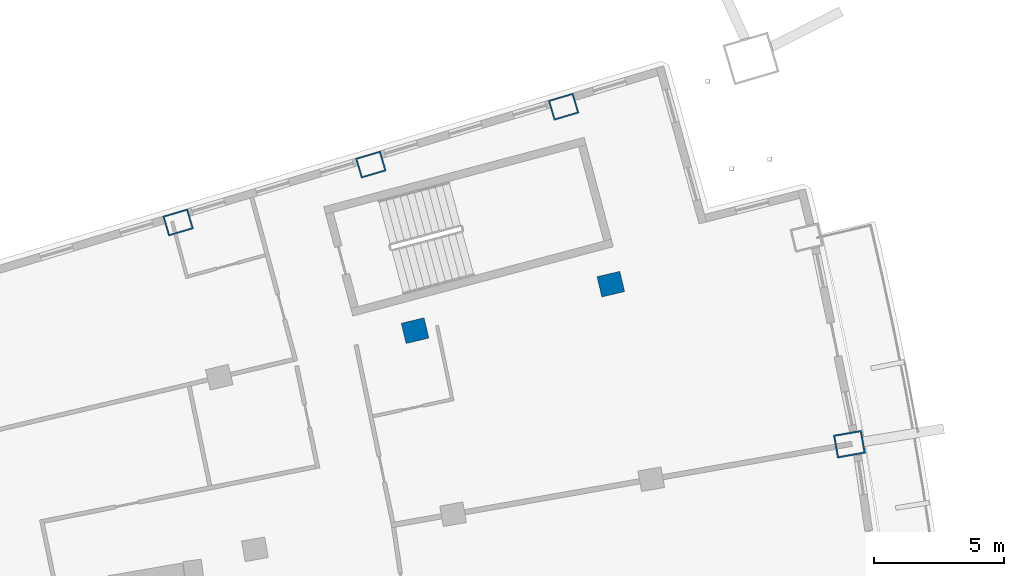
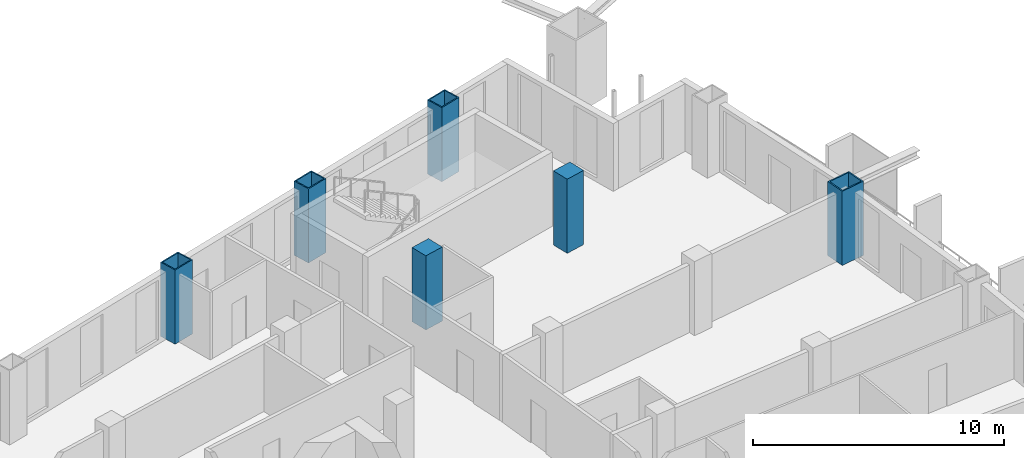
# One storey, part 8 of 20: 6 columns.
"""IFC4 building model written with IfcOpenShell, lengths in metres."""

from ifc_helpers import new_model, si_unit, direction, frame, origin, origin_2d, place, context, subcontext, project, spatial, rectangle, hollow_rectangle, extrude, material, material_profile, profile_set, type_object, element, save


model = new_model("IFC4")

# Units and contexts
model_context = context("Model", 3, precision=1e-05, world=origin(), true_north=direction((0.0, 1.0)))
body_context = subcontext(model_context, "Body", "Model", "MODEL_VIEW")
ifc_project = project(units=[si_unit("LENGTHUNIT", "METRE"), si_unit("AREAUNIT", "SQUARE_METRE"), si_unit("VOLUMEUNIT", "CUBIC_METRE"), si_unit("PLANEANGLEUNIT", "RADIAN"), si_unit("MASSUNIT", "GRAM", prefix="KILO")], contexts=[model_context])

# Site, building, storey
site_placement = place(None, origin())
site = spatial("IfcSite", under=ifc_project, at=site_placement, CompositionType="ELEMENT")
building_placement = place(site_placement, origin())
building = spatial("IfcBuilding", under=site, at=building_placement, Name="Alderwake Tower", CompositionType="ELEMENT")
storey_placement = place(building_placement, frame((0.0, 0.0, 178.39990234375)))
storey = spatial("IfcBuildingStorey", under=building, at=storey_placement, Name="L44", CompositionType="ELEMENT", Elevation=178.39990234375)

# Columns
ifc_material_1 = material(Name="Steel ASTM A572 Grade 50 concrete filled C70/85", Category="concrete")
ifc_material_profile_1 = material_profile(ifc_material_1, hollow_rectangle(XDim=0.800048828125, YDim=1.0, WallThickness=0.054931640625, at=origin_2d()), Name="BOX 1000X800X55")
ifc_profile_set_1 = profile_set([ifc_material_profile_1], Name="Steel ASTM A572 Grade 50 concrete filled C70/85")
column_type_1 = type_object("IfcColumnType", Name="End column Z3", PredefinedType="COLUMN", material=ifc_profile_set_1)
for number, where, z_axis, x_axis, name in (
    (1, (31.080322265625, 93.72314453125, 0.0), (0.0, 0.0, 1.0), (-0.282582549822, 0.959242984095, 0.0), "Column R12-C2"),
    (2, (38.487060546875, 95.94677734375, 0.0), (0.0, 0.0, 1.0), (-0.282893935167, 0.959151198428, 0.0), "Column R12-C3"),
    (3, (45.89404296875, 98.17041015625, 0.0), (0.0, 0.0, 1.0), (-0.283168465256, 0.959070185276, 0.0), "Column R12-C4"),
):
    element("IfcColumn", number, at=place(storey_placement, frame(where, z_axis=z_axis, x_axis=x_axis)), inside=storey, type_object=column_type_1, Name=name, PredefinedType="COLUMN", context=body_context, shape_type="SweptSolid", body=[
        extrude(hollow_rectangle(XDim=0.800048828125, YDim=1.0, WallThickness=0.054931640625, at=origin_2d()), origin(), (0.0, 0.0, 1.0), 3.60009765625),
    ])
ifc_material_2 = material(Name="Concrete C70/85", Category="concrete")
ifc_material_profile_2 = material_profile(ifc_material_2, rectangle(XDim=0.800048828125, YDim=0.89990234375, at=origin_2d()), Name="RC 900X800")
ifc_profile_set_2 = profile_set([ifc_material_profile_2], Name="Concrete C70/85")
column_type_2 = type_object("IfcColumnType", Name="Interior column Z3", PredefinedType="COLUMN", material=ifc_profile_set_2)
for number, where, z_axis, x_axis, name in (
    (4, (40.185791015625, 89.563720703125, 0.0), (0.0, 0.0, 1.0), (-0.231221547198, 0.972901123502, 0.0), "Column R11-C3"),
    (5, (47.70947265625, 91.351806640625, 0.0), (0.0, 0.0, 1.0), (-0.231221547198, 0.972901123502, 0.0), "Column R11-C4"),
):
    element("IfcColumn", number, at=place(storey_placement, frame(where, z_axis=z_axis, x_axis=x_axis)), inside=storey, type_object=column_type_2, Name=name, PredefinedType="COLUMN", context=body_context, shape_type="SweptSolid", body=[
        extrude(rectangle(XDim=0.800048828125, YDim=0.89990234375, at=origin_2d()), origin(), (0.0, 0.0, 1.0), 3.60009765625),
    ])
ifc_material_3 = material(Name="Steel ASTM A572 Grade 50 concrete filled C70/85", Category="concrete")
ifc_material_profile_3 = material_profile(ifc_material_3, hollow_rectangle(XDim=0.89990234375, YDim=1.10009765625, WallThickness=0.06005859375, at=origin_2d()), Name="BOX 1100X900X60")
ifc_profile_set_3 = profile_set([ifc_material_profile_3], Name="Steel ASTM A572 Grade 50 concrete filled C70/85")
column_type_3 = type_object("IfcColumnType", Name="Perimeter column Z3", PredefinedType="COLUMN", material=ifc_profile_set_3)
column_placement = place(storey_placement, frame((56.876953125, 85.200927734375, 0.0), z_axis=(0.0, 0.0, 1.0), x_axis=(-0.174107082075, 0.984726725529, 0.0)))
element("IfcColumn", 6, at=column_placement, inside=storey, type_object=column_type_3, Name="Column R10-C5", PredefinedType="COLUMN", context=body_context, shape_type="SweptSolid", body=[
    extrude(hollow_rectangle(XDim=0.89990234375, YDim=1.10009765625, WallThickness=0.06005859375, at=origin_2d()), origin(), (0.0, 0.0, 1.0), 3.60009765625),
])

save(model, "model.ifc")
